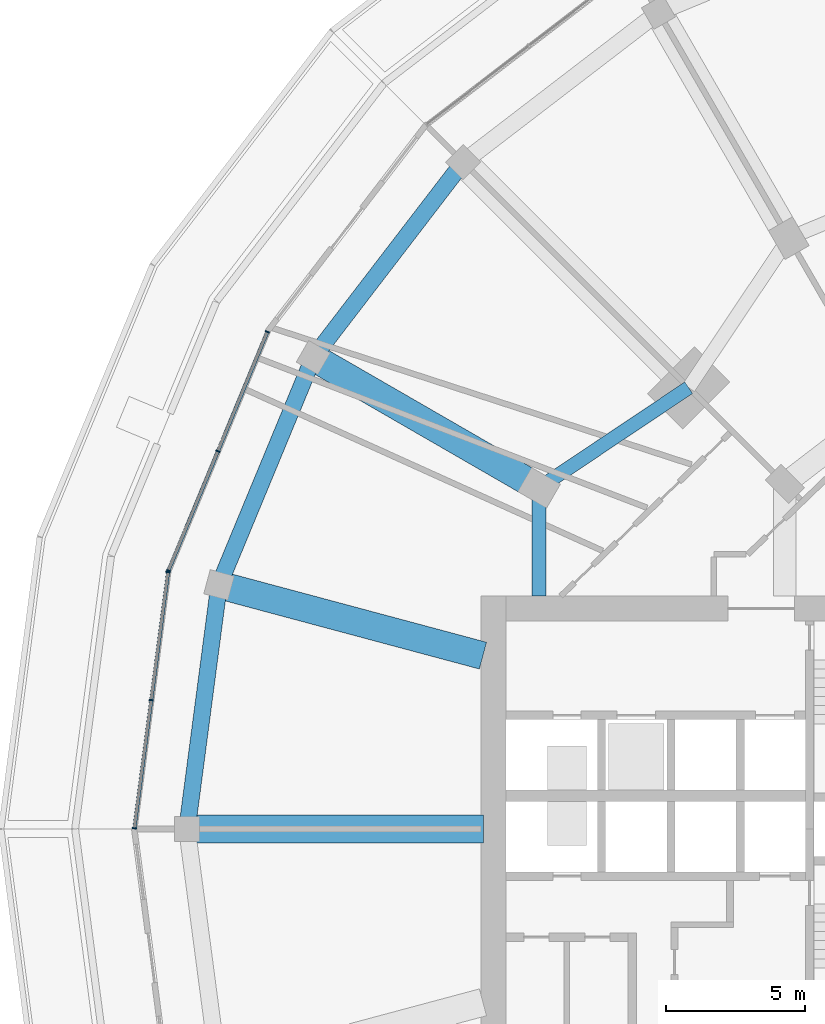
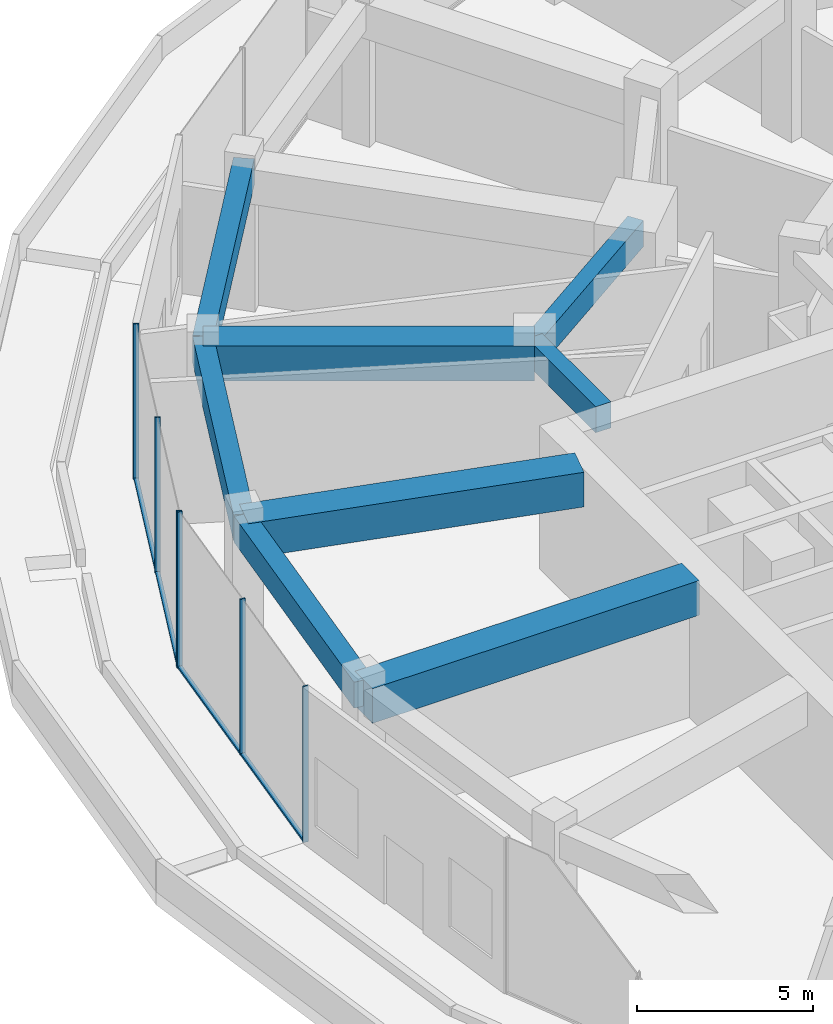
# One storey, part 8 of 26: 10 members, 8 beams, 2 elements without a shape of their own.
"""IFC4 building model written with IfcOpenShell, lengths in metres."""

from ifc_helpers import new_model, si_unit, direction, frame, origin, origin_2d, place, context, subcontext, project, spatial, rectangle, extrude, material, layer, layer_set, material_profile, profile_set, type_object, element, aggregate, save


model = new_model("IFC4")

# Units and contexts
model_context = context("Model", 3, precision=1e-05, world=origin(), true_north=direction((0.0, 1.0)))
body_context = subcontext(model_context, "Body", "Model", "MODEL_VIEW")
ifc_project = project(units=[si_unit("LENGTHUNIT", "METRE"), si_unit("AREAUNIT", "SQUARE_METRE"), si_unit("VOLUMEUNIT", "CUBIC_METRE"), si_unit("PLANEANGLEUNIT", "RADIAN"), si_unit("MASSUNIT", "GRAM", prefix="KILO")], contexts=[model_context])

# Site, building, storey
site_placement = place(None, origin())
site = spatial("IfcSite", under=ifc_project, at=site_placement, CompositionType="ELEMENT")
building_placement = place(site_placement, origin())
building = spatial("IfcBuilding", under=site, at=building_placement, Name="Torre Brocal", CompositionType="ELEMENT")
storey_placement = place(building_placement, frame((0.0, 0.0, 12.39990234375)))
storey = spatial("IfcBuildingStorey", under=building, at=storey_placement, Name="L02", CompositionType="ELEMENT", Elevation=12.39990234375)

# Curtain wall, members
ifc_material_1 = material(Name="Aluminium and glass", Category="aluminium")
ifc_layer = layer(ifc_material_1, 0.199951171875)
ifc_layer_set = layer_set([ifc_layer], Name="Aluminium and glass")
curtain_wall_type = type_object("IfcCurtainWallType", Name="CW-6 CURTAIN WALL 5400 HIGH", PredefinedType="NOTDEFINED", material=ifc_layer_set)
curtain_wall_1_placement = place(storey_placement, origin())
curtain_wall_1 = element("IfcCurtainWall", 1, at=curtain_wall_1_placement, inside=storey, type_object=curtain_wall_type, Name="CW-6 RUN 11", PredefinedType="NOTDEFINED")
ifc_material_2 = material(Name="Aluminium, dark anodised", Category="aluminium")
ifc_material_profile_1 = material_profile(ifc_material_2, rectangle(XDim=0.159912109375, YDim=0.050048828125, at=origin_2d()), Name="CW-6 MULLION 50X160")
ifc_profile_set_1 = profile_set([ifc_material_profile_1], Name="Aluminium, dark anodised")
member_type_1 = type_object("IfcMemberType", Name="CW-6 MULLION 50X160", PredefinedType="MULLION", material=ifc_profile_set_1)
member_1_placement = place(storey_placement, frame((48.90087890625, 92.926513671875, 0.0), z_axis=(0.0, 0.0, 1.0), x_axis=(0.923879532525, -0.382683432333, 0.0)))
member_1 = element("IfcMember", 2, at=member_1_placement, type_object=member_type_1, Name="CW6-1 mullion 1", PredefinedType="MULLION", context=body_context, shape_type="SweptSolid", body=[
    extrude(rectangle(XDim=0.159912109375, YDim=0.050048828125, at=origin_2d()), origin(), (0.0, 0.0, 1.0), 5.400146484375),
])
member_2_placement = place(storey_placement, frame((47.1171875, 88.620361328125, 0.0), z_axis=(0.0, 0.0, 1.0), x_axis=(0.923879532525, -0.382683432333, 0.0)))
member_2 = element("IfcMember", 3, at=member_2_placement, type_object=member_type_1, Name="CW6-1 mullion 2", PredefinedType="MULLION", context=body_context, shape_type="SweptSolid", body=[
    extrude(rectangle(XDim=0.159912109375, YDim=0.050048828125, at=origin_2d()), origin(), (0.0, 0.0, 1.0), 5.400146484375),
])
member_3_placement = place(storey_placement, frame((45.333740234375, 84.314453125, 0.0), z_axis=(0.0, 0.0, 1.0), x_axis=(0.923879532525, -0.382683432333, 0.0)))
member_3 = element("IfcMember", 4, at=member_3_placement, type_object=member_type_1, Name="CW6-1 mullion 3", PredefinedType="MULLION", context=body_context, shape_type="SweptSolid", body=[
    extrude(rectangle(XDim=0.159912109375, YDim=0.050048828125, at=origin_2d()), origin(), (0.0, 0.0, 1.0), 5.400146484375),
])

curtain_wall_2_placement = place(storey_placement, origin())
curtain_wall_2 = element("IfcCurtainWall", 5, at=curtain_wall_2_placement, inside=storey, type_object=curtain_wall_type, Name="CW-6 RUN 12", PredefinedType="NOTDEFINED")
member_4_placement = place(storey_placement, frame((45.32080078125, 84.2666015625, 0.0), z_axis=(0.0, 0.0, 1.0), x_axis=(0.991444861369, -0.130526192255, 0.0)))
member_4 = element("IfcMember", 6, at=member_4_placement, type_object=member_type_1, Name="CW6-1 mullion 1", PredefinedType="MULLION", context=body_context, shape_type="SweptSolid", body=[
    extrude(rectangle(XDim=0.159912109375, YDim=0.050048828125, at=origin_2d()), origin(), (0.0, 0.0, 1.0), 5.400146484375),
])
member_5_placement = place(storey_placement, frame((44.71240234375, 79.645751953125, 0.0), z_axis=(0.0, 0.0, 1.0), x_axis=(0.991444861369, -0.130526192255, 0.0)))
member_5 = element("IfcMember", 7, at=member_5_placement, type_object=member_type_1, Name="CW6-1 mullion 2", PredefinedType="MULLION", context=body_context, shape_type="SweptSolid", body=[
    extrude(rectangle(XDim=0.159912109375, YDim=0.050048828125, at=origin_2d()), origin(), (0.0, 0.0, 1.0), 5.400146484375),
])
member_6_placement = place(storey_placement, frame((44.104248046875, 75.02490234375, 0.0), z_axis=(0.0, 0.0, 1.0), x_axis=(0.991444861369, -0.130526192255, 0.0)))
member_6 = element("IfcMember", 8, at=member_6_placement, type_object=member_type_1, Name="CW6-1 mullion 3", PredefinedType="MULLION", context=body_context, shape_type="SweptSolid", body=[
    extrude(rectangle(XDim=0.159912109375, YDim=0.050048828125, at=origin_2d()), origin(), (0.0, 0.0, 1.0), 5.400146484375),
])

# Member
ifc_material_3 = material(Name="Aluminium, dark anodised", Category="aluminium")
ifc_material_profile_2 = material_profile(ifc_material_3, rectangle(XDim=0.1298828125, YDim=0.070068359375, at=origin_2d()), Name="CW-6 TRANSOM 130X70")
ifc_profile_set_2 = profile_set([ifc_material_profile_2], Name="Aluminium, dark anodised")
member_type_2 = type_object("IfcMemberType", Name="CW-6 TRANSOM 130X70", PredefinedType="USERDEFINED", material=ifc_profile_set_2)
member_7_placement = place(storey_placement, frame((48.891357421875, 92.9033203125, 0.03515625), z_axis=(-0.382674472816, -0.923883243627, 0.0), x_axis=(0.923883243627, -0.382674472816, 0.0)))
member_7 = element("IfcMember", 9, at=member_7_placement, type_object=member_type_2, Name="CW6-1 transom 1.1", ObjectType="TRANSOM", PredefinedType="USERDEFINED", context=body_context, shape_type="SweptSolid", body=[
    extrude(rectangle(XDim=0.1298828125, YDim=0.070068359375, at=origin_2d()), origin(), (0.0, 0.0, 1.0), 4.61083984375),
])

member_8_placement = place(storey_placement, frame((47.107666015625, 88.597412109375, 0.03515625), z_axis=(-0.382674472816, -0.923883243627, 0.0), x_axis=(0.923883243627, -0.382674472816, 0.0)))
member_8 = element("IfcMember", 10, at=member_8_placement, type_object=member_type_2, Name="CW6-1 transom 2.1", ObjectType="TRANSOM", PredefinedType="USERDEFINED", context=body_context, shape_type="SweptSolid", body=[
    extrude(rectangle(XDim=0.1298828125, YDim=0.070068359375, at=origin_2d()), origin(), (0.0, 0.0, 1.0), 4.61083984375),
])

aggregate(curtain_wall_1, [member_1, member_2, member_3, member_7, member_8])

member_9_placement = place(storey_placement, frame((45.317626953125, 84.24169921875, 0.03515625), z_axis=(-0.130522998279, -0.991445281859, 0.0), x_axis=(0.991445281859, -0.130522998279, 0.0)))
member_9 = element("IfcMember", 11, at=member_9_placement, type_object=member_type_2, Name="CW6-1 transom 1.1", ObjectType="TRANSOM", PredefinedType="USERDEFINED", context=body_context, shape_type="SweptSolid", body=[
    extrude(rectangle(XDim=0.1298828125, YDim=0.070068359375, at=origin_2d()), origin(), (0.0, 0.0, 1.0), 4.61083984375),
])

member_10_placement = place(storey_placement, frame((44.709228515625, 79.620849609375, 0.03515625), z_axis=(-0.130522998279, -0.991445281859, 0.0), x_axis=(0.991445281859, -0.130522998279, 0.0)))
member_10 = element("IfcMember", 12, at=member_10_placement, type_object=member_type_2, Name="CW6-1 transom 2.1", ObjectType="TRANSOM", PredefinedType="USERDEFINED", context=body_context, shape_type="SweptSolid", body=[
    extrude(rectangle(XDim=0.1298828125, YDim=0.070068359375, at=origin_2d()), origin(), (0.0, 0.0, 1.0), 4.61083984375),
])

aggregate(curtain_wall_2, [member_4, member_5, member_6, member_9, member_10])

# Beams
ifc_material_4 = material(Name="Concrete C50", Category="concrete")
ifc_material_profile_3 = material_profile(ifc_material_4, rectangle(XDim=0.60009765625, YDim=0.89990234375, at=origin_2d()), Name="RC 600X900")
ifc_profile_set_3 = profile_set([ifc_material_profile_3], Name="Concrete C50")
beam_type_1 = type_object("IfcBeamType", Name="RC BEAM 600X900 C50 TOP 4950", PredefinedType="BEAM", material=ifc_profile_set_3)
beam_1_placement = place(storey_placement, frame((55.958251953125, 99.041748046875, 4.5), z_axis=(-0.608743902882, -0.793366788253, 0.0), x_axis=(0.793366788253, -0.608743902882, 0.0)))
element("IfcBeam", 13, at=beam_1_placement, inside=storey, type_object=beam_type_1, Name="Beam BT-10", PredefinedType="BEAM", context=body_context, shape_type="SweptSolid", body=[
    extrude(rectangle(XDim=0.60009765625, YDim=0.89990234375, at=origin_2d()), origin(), (0.0, 0.0, 1.0), 8.875732421875),
])
beam_2_placement = place(storey_placement, frame((50.55517578125, 92.0, 4.5), z_axis=(-0.382692703012, -0.923875692429, 0.0), x_axis=(0.923875692429, -0.382692703012, 0.0)))
element("IfcBeam", 14, at=beam_2_placement, inside=storey, type_object=beam_type_1, Name="Beam BT-10", PredefinedType="BEAM", context=body_context, shape_type="SweptSolid", body=[
    extrude(rectangle(XDim=0.60009765625, YDim=0.89990234375, at=origin_2d()), origin(), (0.0, 0.0, 1.0), 8.8759765625),
])
beam_3_placement = place(storey_placement, frame((47.158447265625, 83.7998046875, 4.5), z_axis=(-0.130518550679, -0.991445867372, 0.0), x_axis=(0.991445867372, -0.130518550679, 0.0)))
element("IfcBeam", 15, at=beam_3_placement, inside=storey, type_object=beam_type_1, Name="Beam BT-10", PredefinedType="BEAM", context=body_context, shape_type="SweptSolid", body=[
    extrude(rectangle(XDim=0.60009765625, YDim=0.89990234375, at=origin_2d()), origin(), (0.0, 0.0, 1.0), 8.875732421875),
])
ifc_material_5 = material(Name="Concrete C50", Category="concrete")
ifc_material_profile_4 = material_profile(ifc_material_5, rectangle(XDim=0.5, YDim=0.89990234375, at=origin_2d()), Name="RC 500X900")
ifc_profile_set_4 = profile_set([ifc_material_profile_4], Name="Concrete C50")
beam_type_2 = type_object("IfcBeamType", Name="RC SPANDREL BEAM 500X900 C50 TOP 4950", PredefinedType="SPANDREL", material=ifc_profile_set_4)
beam_4_placement = place(storey_placement, frame((64.090087890625, 90.909912109375, 4.5), z_axis=(-0.831076844476, -0.556157602282, 0.0), x_axis=(0.556157602282, -0.831076844476, 0.0)))
element("IfcBeam", 16, at=beam_4_placement, inside=storey, type_object=beam_type_2, Name="Beam BT-12", PredefinedType="SPANDREL", context=body_context, shape_type="SweptSolid", body=[
    extrude(rectangle(XDim=0.5, YDim=0.89990234375, at=origin_2d()), origin(), (0.0, 0.0, 1.0), 6.49072265625),
])
beam_5_placement = place(storey_placement, frame((58.69580078125, 87.300048828125, 4.5), z_axis=(0.0, -1.0, 0.0), x_axis=(1.0, 0.0, 0.0)))
element("IfcBeam", 17, at=beam_5_placement, inside=storey, type_object=beam_type_2, Name="Beam BT-12", PredefinedType="SPANDREL", context=body_context, shape_type="SweptSolid", body=[
    extrude(rectangle(XDim=0.5, YDim=0.89990234375, at=origin_2d()), origin(), (0.0, 0.0, 1.0), 3.900146484375),
])
ifc_material_6 = material(Name="Concrete C60", Category="concrete")
ifc_material_profile_5 = material_profile(ifc_material_6, rectangle(XDim=1.0, YDim=1.199951171875, at=origin_2d()), Name="RC 1000X1200")
ifc_profile_set_5 = profile_set([ifc_material_profile_5], Name="Concrete C60")
beam_type_3 = type_object("IfcBeamType", Name="RC TRANSFER GIRDER 1000X1200 C60 TOP 4950", PredefinedType="BEAM", material=ifc_profile_set_5)
beam_6_placement = place(storey_placement, frame((56.6728515625, 81.25048828125, 4.35009765625), z_axis=(-0.965927362857, 0.258813310486, 0.0), x_axis=(-0.258813310486, -0.965927362857, 0.0)))
element("IfcBeam", 18, at=beam_6_placement, inside=storey, type_object=beam_type_3, Name="Beam TG-03", PredefinedType="BEAM", context=body_context, shape_type="SweptSolid", body=[
    extrude(rectangle(XDim=1.0, YDim=1.199951171875, at=origin_2d()), origin(), (0.0, 0.0, 1.0), 9.85009765625),
])
beam_7_placement = place(storey_placement, frame((56.699951171875, 75.0, 4.35009765625), z_axis=(-1.0, 0.0, 0.0), x_axis=(0.0, -1.0, 0.0)))
element("IfcBeam", 19, at=beam_7_placement, inside=storey, type_object=beam_type_3, Name="Beam TG-03", PredefinedType="BEAM", context=body_context, shape_type="SweptSolid", body=[
    extrude(rectangle(XDim=1.0, YDim=1.199951171875, at=origin_2d()), origin(), (0.0, 0.0, 1.0), 10.699951171875),
])
beam_8_placement = place(storey_placement, frame((58.69580078125, 87.300048828125, 4.35009765625), z_axis=(-0.866027286158, 0.499996739618, 0.0), x_axis=(-0.499996739618, -0.866027286158, 0.0)))
element("IfcBeam", 20, at=beam_8_placement, inside=storey, type_object=beam_type_3, Name="Beam TG-03", PredefinedType="BEAM", context=body_context, shape_type="SweptSolid", body=[
    extrude(rectangle(XDim=1.0, YDim=1.199951171875, at=origin_2d()), origin(), (0.0, 0.0, 1.0), 9.39990234375),
])

save(model, "model.ifc")
